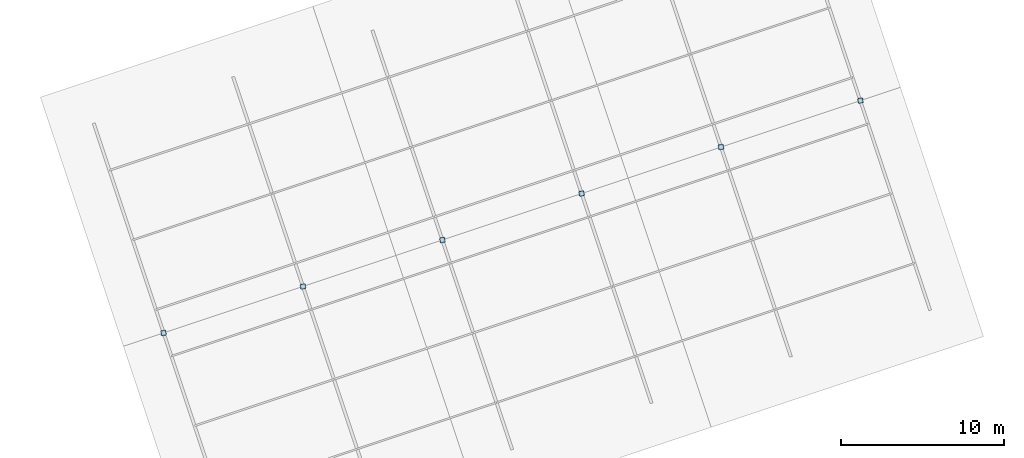
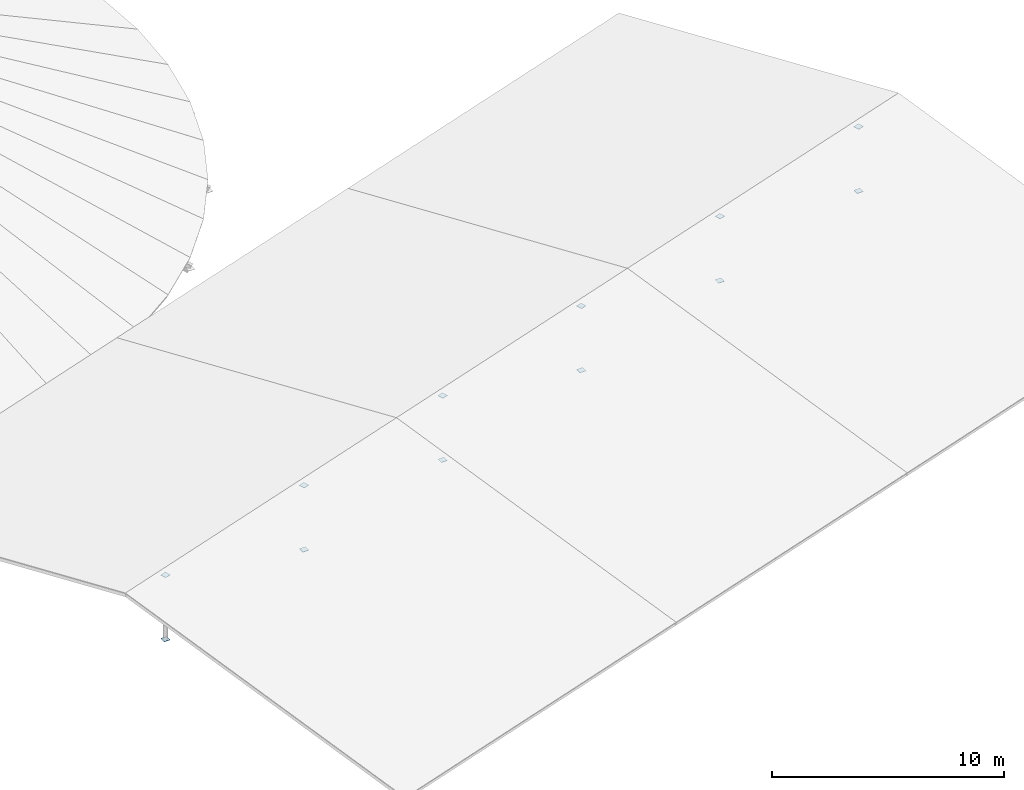
# One storey, part 90 of 107: 12 plates.
"""IFC4 building model written with IfcOpenShell, lengths in metres."""

from ifc_helpers import new_model, si_unit, derived_unit, direction, frame, origin, origin_2d, place, context, subcontext, project, spatial, rectangle, extrude, material, layer, layer_set, type_object, element, save


model = new_model("IFC4")

# Units and contexts
model_context = context("Model", 3, precision=1e-05, world=origin(), true_north=direction((0.0, 1.0)))
body_context = subcontext(model_context, "Body", "Model", "MODEL_VIEW")
ifc_project = project(units=[si_unit("LENGTHUNIT", "METRE"), si_unit("AREAUNIT", "SQUARE_METRE"), si_unit("VOLUMEUNIT", "CUBIC_METRE"), si_unit("PLANEANGLEUNIT", "RADIAN"), si_unit("MASSUNIT", "GRAM", prefix="KILO"), si_unit("THERMODYNAMICTEMPERATUREUNIT", "KELVIN"), si_unit("TIMEUNIT", "SECOND"), derived_unit("THERMALTRANSMITTANCEUNIT", [(si_unit("MASSUNIT", "GRAM", prefix="KILO"), 1), (si_unit("THERMODYNAMICTEMPERATUREUNIT", "KELVIN"), -1), (si_unit("TIMEUNIT", "SECOND"), -3)])], contexts=[model_context])

# Site, building, storey
site_placement = place(None, origin())
site = spatial("IfcSite", under=ifc_project, at=site_placement, CompositionType="ELEMENT")
building_placement = place(site_placement, origin())
building = spatial("IfcBuilding", under=site, at=building_placement, Name="Cambertide Market Hall", CompositionType="ELEMENT")
storey_placement = place(building_placement, frame((0.0, 0.0, 18.300048828125)))
storey = spatial("IfcBuildingStorey", under=building, at=storey_placement, Name="RF", CompositionType="ELEMENT", Elevation=18.300048828125)

# Plates
ifc_material = material(Name="Steel S355", Category="steel")
ifc_layer = layer(ifc_material, 0.013916015625, Name="Steel End Cap Plate EC-02")
ifc_layer_set = layer_set([ifc_layer], Name="Steel S355")
plate_type = type_object("IfcPlateType", Name="Steel End Cap Plate EC-02", PredefinedType="USERDEFINED", material=ifc_layer_set)
for number, where, z_axis, x_axis, name in (
    (1, (101.73095703125, 24.80712890625, -1.20458984375), (0.0, 0.0, 1.0), (0.94868329805, 0.316227766018, 0.0), "V3 Ridge King-Post Cap Plate 1"),
    (2, (110.26904296875, 27.6533203125, -1.20458984375), (0.0, 0.0, 1.0), (0.94868329805, 0.316227766018, 0.0), "V3 Ridge King-Post Cap Plate 2"),
    (3, (118.80712890625, 30.499267578125, -1.20458984375), (0.0, 0.0, 1.0), (0.94868329805, 0.316227766018, 0.0), "V3 Ridge King-Post Cap Plate 3"),
    (4, (127.345458984375, 33.345458984375, -1.20458984375), (0.0, 0.0, 1.0), (0.94868329805, 0.316227766018, 0.0), "V3 Ridge King-Post Cap Plate 4"),
    (5, (135.883544921875, 36.19140625, -1.20458984375), (0.0, 0.0, 1.0), (0.94868329805, 0.316227766018, 0.0), "V3 Ridge King-Post Cap Plate 5"),
    (6, (144.421630859375, 39.037353515625, -1.20458984375), (0.0, 0.0, 1.0), (0.94868329805, 0.316227766018, 0.0), "V3 Ridge King-Post Cap Plate 6"),
    (7, (101.73095703125, 24.80712890625, -4.5869140625), (0.0, 0.0, 1.0), (1.0, 0.0, 0.0), "High-Bay Brace Connection End Cap Plate EC-BRN-233"),
    (8, (110.26904296875, 27.6533203125, -4.5869140625), (0.0, 0.0, 1.0), (1.0, 0.0, 0.0), "High-Bay Brace Connection End Cap Plate EC-BRN-234"),
    (9, (118.80712890625, 30.499267578125, -4.5869140625), (0.0, 0.0, 1.0), (1.0, 0.0, 0.0), "High-Bay Brace Connection End Cap Plate EC-BRN-235"),
    (10, (127.345458984375, 33.345458984375, -4.5869140625), (0.0, 0.0, 1.0), (1.0, 0.0, 0.0), "High-Bay Brace Connection End Cap Plate EC-BRN-236"),
    (11, (135.883544921875, 36.19140625, -4.5869140625), (0.0, 0.0, 1.0), (1.0, 0.0, 0.0), "High-Bay Brace Connection End Cap Plate EC-BRN-237"),
    (12, (144.421630859375, 39.037353515625, -4.5869140625), (0.0, 0.0, 1.0), (1.0, 0.0, 0.0), "High-Bay Brace Connection End Cap Plate EC-BRN-238"),
):
    element("IfcPlate", number, at=place(storey_placement, frame(where, z_axis=z_axis, x_axis=x_axis)), inside=storey, type_object=plate_type, Name=name, ObjectType="END CAP PLATE", PredefinedType="USERDEFINED", context=body_context, shape_type="SweptSolid", body=[
        extrude(rectangle(XDim=0.300048828125, YDim=0.300048828125, at=origin_2d()), origin(), (0.0, 0.0, 1.0), 0.013916015625),
    ])

save(model, "model.ifc")
